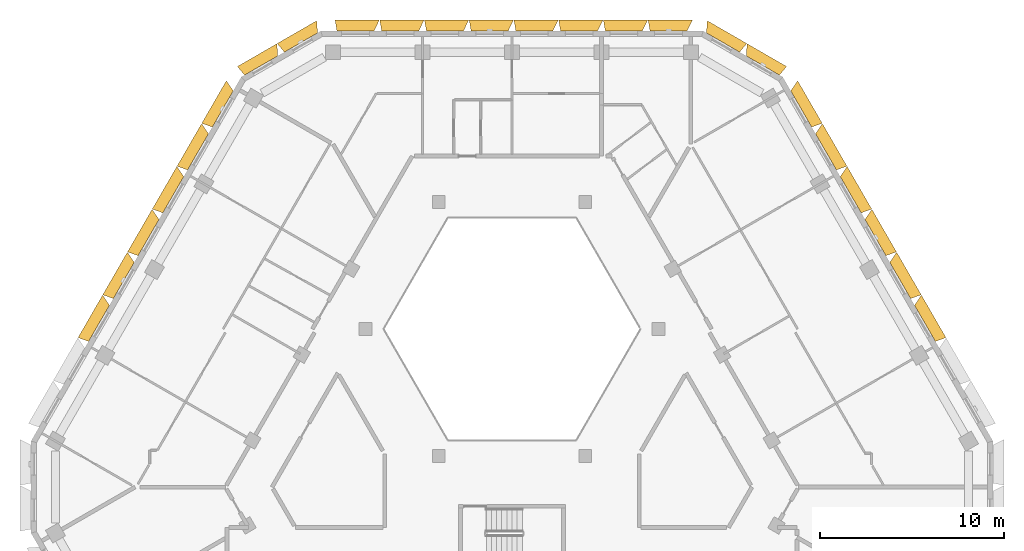
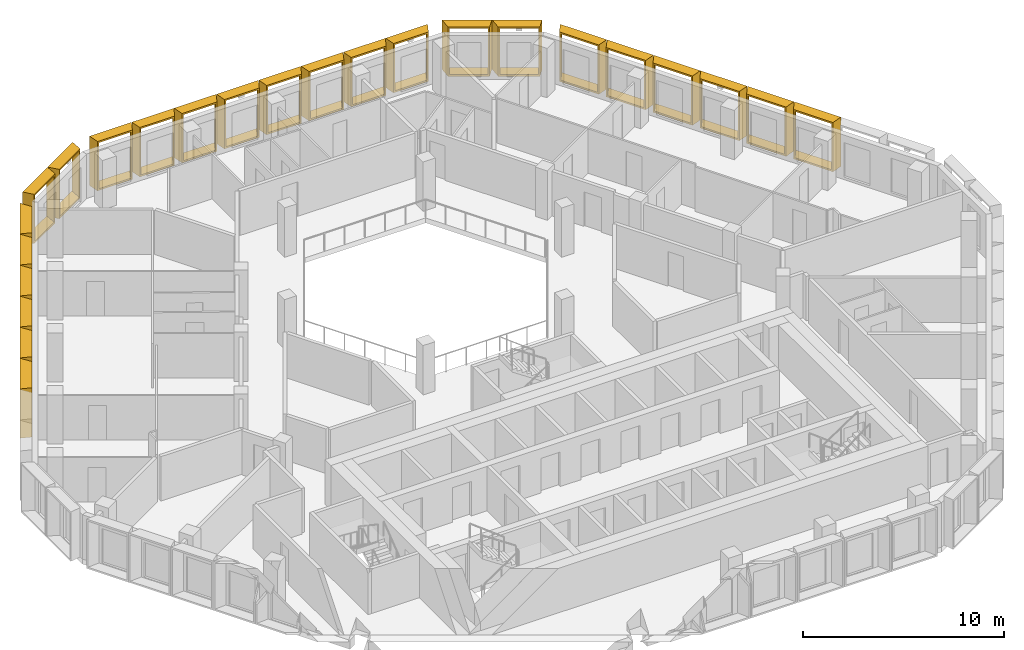
# One storey, part 17 of 17: 24 shading devices.
"""IFC4 building model written with IfcOpenShell, lengths in metres."""

import ifcopenshell
import ifcopenshell.guid

model = None  # the IFC model being written
_history = None  # IfcOwnerHistory: only IFC2X3 demands one
_inside = {}  # id of a spatial element -> (the spatial element, [elements in it])
_under = {}  # id of a project, library or spatial element -> (it, [spatial elements below it])
_declared = {}  # id of a project -> (the project, [libraries it declares])
_typed = {}  # id of a type object -> (the type object, [elements of that type])
_made_of = {}  # id of a material, layer set ... -> (it, [elements and type objects made of it])


def new_model(schema):
    """Start an empty IFC model of exactly this schema.

    Asked for "IFC4X3", IfcOpenShell would pick the latest addendum, in which some entities
    have other attributes; the version numbers below select the first issue.
    IFC2X3 requires an IfcOwnerHistory on every rooted entity: one is made here for all.
    """
    global model, _history
    if schema == "IFC4X3":
        model = ifcopenshell.file(schema_version=(4, 3, 0, 0))
    else:
        model = ifcopenshell.file(schema=schema)
    _inside.clear()
    _under.clear()
    _declared.clear()
    _typed.clear()
    _made_of.clear()
    _history = None
    if model.schema == "IFC2X3":
        org = make("IfcOrganization", Name="unknown")
        user = make(
            "IfcPersonAndOrganization",
            ThePerson=make("IfcPerson", FamilyName="unknown"),
            TheOrganization=org,
        )
        app = make(
            "IfcApplication",
            ApplicationDeveloper=org,
            Version="unknown",
            ApplicationFullName="unknown",
            ApplicationIdentifier="unknown",
        )
        _history = make(
            "IfcOwnerHistory",
            OwningUser=user,
            OwningApplication=app,
            ChangeAction="ADDED",
            CreationDate=0,
        )
    return model


def make(cls, **values):
    """One entity of the class cls with the attributes given. An attribute that is None is left unset."""
    return model.create_entity(
        cls, **{name: value for name, value in values.items() if value is not None}
    )


def entity(cls, *values):
    """Any entity or typed value of the class cls, its attributes in the order of the schema. None: left unset."""
    e = model.create_entity(cls)
    for i, value in enumerate(values):
        if value is not None:
            e[i] = value
    return e


def rooted(cls, **values):
    """An entity with a GlobalId (a new one), such as an element, a storey or a relation."""
    return make(cls, GlobalId=ifcopenshell.guid.new(), OwnerHistory=_history, **values)


def si_unit(unit_type, name, prefix=None):
    """IfcSIUnit, for example si_unit("LENGTHUNIT", "METRE", prefix="MILLI")."""
    return make("IfcSIUnit", UnitType=unit_type, Prefix=prefix, Name=name)


def assignment(units):
    """IfcUnitAssignment: the units of a project."""
    return None if units is None else make("IfcUnitAssignment", Units=units)


def point(xyz):
    """IfcCartesianPoint."""
    return None if xyz is None else make("IfcCartesianPoint", Coordinates=xyz)


def direction(xyz):
    """IfcDirection."""
    return None if xyz is None else make("IfcDirection", DirectionRatios=xyz)


def frame(location, z_axis=None, x_axis=None):
    """IfcAxis2Placement3D, a coordinate frame: its origin and axes. An axis left out is left unset."""
    return make(
        "IfcAxis2Placement3D",
        Location=point(location),
        Axis=direction(z_axis),
        RefDirection=direction(x_axis),
    )


def origin():
    """The frame at (0, 0, 0) with its axes left unset."""
    return frame((0.0, 0.0, 0.0))


def place(relative_to, where):
    """IfcLocalPlacement: puts the frame where relative to a parent placement (None: the world)."""
    return make(
        "IfcLocalPlacement", PlacementRelTo=relative_to, RelativePlacement=where
    )


def context(
    kind, dimensions, precision=None, world=None, true_north=None, identifier=None
):
    """IfcGeometricRepresentationContext, for example the 3D "Model" context."""
    return make(
        "IfcGeometricRepresentationContext",
        ContextIdentifier=identifier,
        ContextType=kind,
        CoordinateSpaceDimension=dimensions,
        Precision=precision,
        WorldCoordinateSystem=world,
        TrueNorth=true_north,
    )


def subcontext(parent, identifier, kind, view, scale=None):
    """IfcGeometricRepresentationSubContext, for example "Body" below "Model"."""
    return make(
        "IfcGeometricRepresentationSubContext",
        ContextIdentifier=identifier,
        ContextType=kind,
        ParentContext=parent,
        TargetScale=scale,
        TargetView=view,
    )


def project(units=None, contexts=None):
    """IfcProject with its units and contexts."""
    return rooted(
        "IfcProject",
        Name="project",
        RepresentationContexts=contexts,
        UnitsInContext=assignment(units),
    )


def spatial(cls, under=None, at=None, **own):
    """A site, building, storey or space (cls), placed at a placement, below another one or the project."""
    s = rooted(cls, ObjectPlacement=at, **own)
    if under is not None:
        _under.setdefault(under.id(), (under, []))[1].append(s)
    return s


def shape(context_of_items, identifier, shape_type, items):
    """IfcShapeRepresentation: the items that make up one representation, for example the "Body"."""
    return make(
        "IfcShapeRepresentation",
        ContextOfItems=context_of_items,
        RepresentationIdentifier=identifier,
        RepresentationType=shape_type,
        Items=items,
    )


def source(mapping_origin, context_of_items, identifier, shape_type, items):
    """IfcRepresentationMap: a shape defined once, which mapped items show again and again."""
    return make(
        "IfcRepresentationMap",
        MappingOrigin=mapping_origin,
        MappedRepresentation=shape(context_of_items, identifier, shape_type, items),
    )


def transform(
    local_origin,
    x_axis=None,
    y_axis=None,
    z_axis=None,
    scale=None,
    scale2=None,
    scale3=None,
    uniform=True,
):
    """IfcCartesianTransformationOperator3D, or its non-uniform kind. x_axis, y_axis, z_axis: its Axis1, 2, 3."""
    if uniform:
        return make(
            "IfcCartesianTransformationOperator3D",
            Axis1=direction(x_axis),
            Axis2=direction(y_axis),
            LocalOrigin=point(local_origin),
            Scale=scale,
            Axis3=direction(z_axis),
        )
    return make(
        "IfcCartesianTransformationOperator3DnonUniform",
        Axis1=direction(x_axis),
        Axis2=direction(y_axis),
        LocalOrigin=point(local_origin),
        Scale=scale,
        Axis3=direction(z_axis),
        Scale2=scale2,
        Scale3=scale3,
    )


def mapped(mapping_source, mapping_target):
    """IfcMappedItem: shows the shape of a source again, moved by a transform."""
    return make(
        "IfcMappedItem", MappingSource=mapping_source, MappingTarget=mapping_target
    )


def material(Name=None, Category=None):
    """IfcMaterial."""
    return make("IfcMaterial", Name=Name, Category=Category)


def made_of(thing, what):
    """Note that an element or type object is made of a material, layer set ...; save() writes the relation."""
    if what is not None:
        _made_of.setdefault(what.id(), (what, []))[1].append(thing)
    return thing


def type_object(cls, material=None, **own):
    """A type object (cls), such as IfcWallType, which elements share."""
    return made_of(rooted(cls, **own), material)


def type_shapes(of_type, sources):
    """Give a type object the sources (RepresentationMaps) that its elements show as mapped items."""
    of_type.RepresentationMaps = sources


def element(
    cls,
    number,
    at=None,
    inside=None,
    cuts=None,
    type_object=None,
    material=None,
    context=None,
    identifier="Body",
    shape_type=None,
    held_by="IfcProductDefinitionShape",
    body=None,
    shapes=None,
    **own,
):
    """One element of the class cls, such as IfcWall. Its Tag is "e" and its number.

    at: its placement. inside: the storey or other place that contains it. cuts: it is an
    opening in that element (IfcRelVoidsElement). A single representation is given by context,
    identifier, shape_type and body (its items); several are given by shapes. held_by: the class
    of the entity that holds the representations. save() writes the other relations.
    """
    e = rooted(cls, Tag="e%d" % number, ObjectPlacement=at, **own)
    if body is not None:
        shapes = [shape(context, identifier, shape_type, body)]
    if shapes is not None:
        e.Representation = make(held_by, Representations=shapes)
    if inside is not None:
        _inside.setdefault(inside.id(), (inside, []))[1].append(e)
    if cuts is not None:
        rooted(
            "IfcRelVoidsElement", RelatingBuildingElement=cuts, RelatedOpeningElement=e
        )
    if type_object is not None:
        _typed.setdefault(type_object.id(), (type_object, []))[1].append(e)
    return made_of(e, material)


def aggregate(whole, parts):
    """IfcRelAggregates: a whole, such as a stair, and the parts it consists of."""
    return rooted("IfcRelAggregates", RelatingObject=whole, RelatedObjects=parts)


def save(model, path):
    """Write the relations noted so far, then the file.

    IfcRelAggregates (storeys below a building ...), IfcRelContainedInSpatialStructure (elements
    in a storey), IfcRelDefinesByType, IfcRelAssociatesMaterial and IfcRelDeclares: one each for
    every whole, place, type object, material and project.
    """
    for whole, parts in _under.values():
        aggregate(whole, parts)
    for where, things in _inside.values():
        rooted(
            "IfcRelContainedInSpatialStructure",
            RelatedElements=things,
            RelatingStructure=where,
        )
    for kind, things in _typed.values():
        rooted("IfcRelDefinesByType", RelatedObjects=things, RelatingType=kind)
    for what, things in _made_of.values():
        rooted("IfcRelAssociatesMaterial", RelatedObjects=things, RelatingMaterial=what)
    for by, libraries in _declared.values():
        rooted("IfcRelDeclares", RelatingContext=by, RelatedDefinitions=libraries)
    model.write(path)


model = new_model("IFC4")

# Units and contexts
model_context = context("Model", 3, precision=1e-05, world=origin(), true_north=direction((0.0, 1.0)))
body_context = subcontext(model_context, "Body", "Model", "MODEL_VIEW")
ifc_project = project(units=[si_unit("LENGTHUNIT", "METRE"), si_unit("AREAUNIT", "SQUARE_METRE"), si_unit("VOLUMEUNIT", "CUBIC_METRE"), si_unit("PLANEANGLEUNIT", "RADIAN"), si_unit("MASSUNIT", "GRAM", prefix="KILO")], contexts=[model_context])

# Site, building, storey
site_placement = place(None, origin())
site = spatial("IfcSite", under=ifc_project, at=site_placement, CompositionType="ELEMENT")
building_placement = place(site_placement, origin())
building = spatial("IfcBuilding", under=site, at=building_placement, Name="Beryl Residences", CompositionType="ELEMENT")
storey_placement = place(building_placement, frame((0.0, 0.0, 172.199951171875)))
storey = spatial("IfcBuildingStorey", under=building, at=storey_placement, Name="L52", CompositionType="ELEMENT", Elevation=172.199951171875)

# Shading devices
ifc_material_1 = material(Name="Aluminium pale anodised", Category="aluminium")
shading_device_type_1 = type_object("IfcShadingDeviceType", Name="FR243-60B OUTER SKIN frame 600 mm deep, splay 26/10 deg, 2430 x 3000 mm cell", PredefinedType="USERDEFINED", material=ifc_material_1)
cartesian_point_1 = entity("IfcCartesianPoint", [-1.005615234375, 0.0])
cartesian_point_2 = entity("IfcCartesianPoint", [-0.91650390625, 0.10009765625])
cartesian_point_3 = entity("IfcCartesianPoint", [-1.298095703125, 0.0])
cartesian_point_4 = entity("IfcCartesianPoint", [-1.209228515625, 0.10009765625])
shared_shape_1 = source(origin(), body_context, "Body", "SweptSolid", [
    entity("IfcExtrudedAreaSolidTapered", entity("IfcArbitraryProfileDefWithVoids", "AREA", None, entity("IfcPolyline", [cartesian_point_1, entity("IfcCartesianPoint", [1.005615234375, 0.0]), entity("IfcCartesianPoint", [1.005615234375, 3.0]), entity("IfcCartesianPoint", [-1.005615234375, 3.0]), cartesian_point_1]), [entity("IfcPolyline", [cartesian_point_2, entity("IfcCartesianPoint", [0.92431640625, 0.10009765625]), entity("IfcCartesianPoint", [0.92431640625, 2.89990234375]), entity("IfcCartesianPoint", [-0.91650390625, 2.89990234375]), cartesian_point_2])]), entity("IfcAxis2Placement3D", entity("IfcCartesianPoint", [0.0, 0.0, 0.0]), entity("IfcDirection", [0.0, 1.0, 0.0]), entity("IfcDirection", [-1.0, 0.0, 0.0])), entity("IfcDirection", [0.0, 0.0, 1.0]), 0.60009765625, entity("IfcArbitraryProfileDefWithVoids", "AREA", None, entity("IfcPolyline", [cartesian_point_3, entity("IfcCartesianPoint", [1.111328125, 0.0]), entity("IfcCartesianPoint", [1.111328125, 3.0]), entity("IfcCartesianPoint", [-1.298095703125, 3.0]), cartesian_point_3]), [entity("IfcPolyline", [cartesian_point_4, entity("IfcCartesianPoint", [1.030029296875, 0.10009765625]), entity("IfcCartesianPoint", [1.030029296875, 2.89990234375]), entity("IfcCartesianPoint", [-1.209228515625, 2.89990234375]), cartesian_point_4])])),
])
type_shapes(shading_device_type_1, [shared_shape_1])
for number, where, z_axis, x_axis, name in (
    (1, (8.511962890625, 24.199951171875, 0.0), (0.0, 0.0, 1.0), (1.0, 0.0, 0.0), "FR243-60B frame L52 N 1"),
    (2, (6.080078125, 24.199951171875, 0.0), (0.0, 0.0, 1.0), (1.0, 0.0, 0.0), "FR243-60B frame L52 N 2"),
    (3, (3.64794921875, 24.199951171875, 0.0), (0.0, 0.0, 1.0), (1.0, 0.0, 0.0), "FR243-60B frame L52 N 3"),
    (4, (1.216064453125, 24.199951171875, 0.0), (0.0, 0.0, 1.0), (1.0, 0.0, 0.0), "FR243-60B frame L52 N 4"),
    (5, (-1.216064453125, 24.199951171875, 0.0), (0.0, 0.0, 1.0), (1.0, 0.0, 0.0), "FR243-60B frame L52 N 5"),
    (6, (-3.64794921875, 24.199951171875, 0.0), (0.0, 0.0, 1.0), (1.0, 0.0, 0.0), "FR243-60B frame L52 N 6"),
    (7, (-6.080078125, 24.199951171875, 0.0), (0.0, 0.0, 1.0), (1.0, 0.0, 0.0), "FR243-60B frame L52 N 7"),
    (8, (-8.511962890625, 24.199951171875, 0.0), (0.0, 0.0, 1.0), (1.0, 0.0, 0.0), "FR243-60B frame L52 N 8"),
):
    element("IfcShadingDevice", number, at=place(storey_placement, frame(where, z_axis=z_axis, x_axis=x_axis)), inside=storey, type_object=shading_device_type_1, Name=name, ObjectType="OUTER SKIN", PredefinedType="USERDEFINED", context=body_context, shape_type="MappedRepresentation", body=[
        mapped(shared_shape_1, transform((0.0, 0.0, 0.0))),
    ])
ifc_material_2 = material(Name="Aluminium pale anodised", Category="aluminium")
shading_device_type_2 = type_object("IfcShadingDeviceType", Name="FR250-60B OUTER SKIN frame 600 mm deep, splay 26/10 deg, 2500 x 3000 mm cell", PredefinedType="USERDEFINED", material=ifc_material_2)
cartesian_point_5 = entity("IfcCartesianPoint", [-1.04052734375, 0.0])
cartesian_point_6 = entity("IfcCartesianPoint", [-0.951416015625, 0.10009765625])
cartesian_point_7 = entity("IfcCartesianPoint", [-1.333251953125, 0.0])
cartesian_point_8 = entity("IfcCartesianPoint", [-1.244140625, 0.10009765625])
shared_shape_2 = source(origin(), body_context, "Body", "SweptSolid", [
    entity("IfcExtrudedAreaSolidTapered", entity("IfcArbitraryProfileDefWithVoids", "AREA", None, entity("IfcPolyline", [cartesian_point_5, entity("IfcCartesianPoint", [1.04052734375, 0.0]), entity("IfcCartesianPoint", [1.04052734375, 3.0]), entity("IfcCartesianPoint", [-1.04052734375, 3.0]), cartesian_point_5]), [entity("IfcPolyline", [cartesian_point_6, entity("IfcCartesianPoint", [0.959228515625, 0.10009765625]), entity("IfcCartesianPoint", [0.959228515625, 2.89990234375]), entity("IfcCartesianPoint", [-0.951416015625, 2.89990234375]), cartesian_point_6])]), entity("IfcAxis2Placement3D", entity("IfcCartesianPoint", [0.0, 0.0, 0.0]), entity("IfcDirection", [0.0, 1.0, 0.0]), entity("IfcDirection", [-1.0, 0.0, 0.0])), entity("IfcDirection", [0.0, 0.0, 1.0]), 0.60009765625, entity("IfcArbitraryProfileDefWithVoids", "AREA", None, entity("IfcPolyline", [cartesian_point_7, entity("IfcCartesianPoint", [1.146240234375, 0.0]), entity("IfcCartesianPoint", [1.146240234375, 3.0]), entity("IfcCartesianPoint", [-1.333251953125, 3.0]), cartesian_point_7]), [entity("IfcPolyline", [cartesian_point_8, entity("IfcCartesianPoint", [1.06494140625, 0.10009765625]), entity("IfcCartesianPoint", [1.06494140625, 2.89990234375]), entity("IfcCartesianPoint", [-1.244140625, 2.89990234375]), cartesian_point_8])])),
])
type_shapes(shading_device_type_2, [shared_shape_2])
for number, where, z_axis, x_axis, name in (
    (9, (-11.47412109375, 23.574951171875, 0.0), (0.0, 0.0, 1.0), (0.866025403784, 0.5, 0.0), "FR250-60B frame L52 N-NW 1"),
    (10, (-13.638916015625, 22.324951171875, 0.0), (0.0, 0.0, 1.0), (0.866025403784, 0.5, 0.0), "FR250-60B frame L52 N-NW 2"),
):
    element("IfcShadingDevice", number, at=place(storey_placement, frame(where, z_axis=z_axis, x_axis=x_axis)), inside=storey, type_object=shading_device_type_2, Name=name, ObjectType="OUTER SKIN", PredefinedType="USERDEFINED", context=body_context, shape_type="MappedRepresentation", body=[
        mapped(shared_shape_2, transform((0.0, 0.0, 0.0))),
    ])
ifc_material_3 = material(Name="Aluminium pale anodised", Category="aluminium")
shading_device_type_3 = type_object("IfcShadingDeviceType", Name="FR250-60C OUTER SKIN frame 600 mm deep, splay 10/26 deg, 2500 x 3000 mm cell", PredefinedType="USERDEFINED", material=ifc_material_3)
cartesian_point_9 = entity("IfcCartesianPoint", [-1.04052734375, 0.0])
cartesian_point_10 = entity("IfcCartesianPoint", [-0.959228515625, 0.10009765625])
cartesian_point_11 = entity("IfcCartesianPoint", [-1.146240234375, 0.0])
cartesian_point_12 = entity("IfcCartesianPoint", [-1.06494140625, 0.10009765625])
shared_shape_3 = source(origin(), body_context, "Body", "SweptSolid", [
    entity("IfcExtrudedAreaSolidTapered", entity("IfcArbitraryProfileDefWithVoids", "AREA", None, entity("IfcPolyline", [cartesian_point_9, entity("IfcCartesianPoint", [1.04052734375, 0.0]), entity("IfcCartesianPoint", [1.04052734375, 3.0]), entity("IfcCartesianPoint", [-1.04052734375, 3.0]), cartesian_point_9]), [entity("IfcPolyline", [cartesian_point_10, entity("IfcCartesianPoint", [0.951416015625, 0.10009765625]), entity("IfcCartesianPoint", [0.951416015625, 2.89990234375]), entity("IfcCartesianPoint", [-0.959228515625, 2.89990234375]), cartesian_point_10])]), entity("IfcAxis2Placement3D", entity("IfcCartesianPoint", [0.0, 0.0, 0.0]), entity("IfcDirection", [0.0, 1.0, 0.0]), entity("IfcDirection", [-1.0, 0.0, 0.0])), entity("IfcDirection", [0.0, 0.0, 1.0]), 0.60009765625, entity("IfcArbitraryProfileDefWithVoids", "AREA", None, entity("IfcPolyline", [cartesian_point_11, entity("IfcCartesianPoint", [1.333251953125, 0.0]), entity("IfcCartesianPoint", [1.333251953125, 3.0]), entity("IfcCartesianPoint", [-1.146240234375, 3.0]), cartesian_point_11]), [entity("IfcPolyline", [cartesian_point_12, entity("IfcCartesianPoint", [1.244140625, 0.10009765625]), entity("IfcCartesianPoint", [1.244140625, 2.89990234375]), entity("IfcCartesianPoint", [-1.06494140625, 2.89990234375]), cartesian_point_12])])),
])
type_shapes(shading_device_type_3, [shared_shape_3])
for number, where, z_axis, x_axis, name in (
    (11, (13.638916015625, 22.324951171875, 0.0), (0.0, 0.0, 1.0), (0.866025403784, -0.5, 0.0), "FR250-60C frame L52 NE-N 1"),
    (12, (11.47412109375, 23.574951171875, 0.0), (0.0, 0.0, 1.0), (0.866025403784, -0.5, 0.0), "FR250-60C frame L52 NE-N 2"),
):
    element("IfcShadingDevice", number, at=place(storey_placement, frame(where, z_axis=z_axis, x_axis=x_axis)), inside=storey, type_object=shading_device_type_3, Name=name, ObjectType="OUTER SKIN", PredefinedType="USERDEFINED", context=body_context, shape_type="MappedRepresentation", body=[
        mapped(shared_shape_3, transform((0.0, 0.0, 0.0))),
    ])
ifc_material_4 = material(Name="Aluminium pale anodised", Category="aluminium")
shading_device_type_4 = type_object("IfcShadingDeviceType", Name="FR269-60B OUTER SKIN frame 600 mm deep, splay 26/10 deg, 2690 x 3000 mm cell", PredefinedType="USERDEFINED", material=ifc_material_4)
cartesian_point_13 = entity("IfcCartesianPoint", [-1.135498046875, 0.0])
cartesian_point_14 = entity("IfcCartesianPoint", [-1.04638671875, 0.10009765625])
cartesian_point_15 = entity("IfcCartesianPoint", [-1.42822265625, 0.0])
cartesian_point_16 = entity("IfcCartesianPoint", [-1.339111328125, 0.10009765625])
shared_shape_4 = source(origin(), body_context, "Body", "SweptSolid", [
    entity("IfcExtrudedAreaSolidTapered", entity("IfcArbitraryProfileDefWithVoids", "AREA", None, entity("IfcPolyline", [cartesian_point_13, entity("IfcCartesianPoint", [1.135498046875, 0.0]), entity("IfcCartesianPoint", [1.135498046875, 3.0]), entity("IfcCartesianPoint", [-1.135498046875, 3.0]), cartesian_point_13]), [entity("IfcPolyline", [cartesian_point_14, entity("IfcCartesianPoint", [1.05419921875, 0.10009765625]), entity("IfcCartesianPoint", [1.05419921875, 2.89990234375]), entity("IfcCartesianPoint", [-1.04638671875, 2.89990234375]), cartesian_point_14])]), entity("IfcAxis2Placement3D", entity("IfcCartesianPoint", [0.0, 0.0, 0.0]), entity("IfcDirection", [0.0, 1.0, 0.0]), entity("IfcDirection", [-1.0, 0.0, 0.0])), entity("IfcDirection", [0.0, 0.0, 1.0]), 0.60009765625, entity("IfcArbitraryProfileDefWithVoids", "AREA", None, entity("IfcPolyline", [cartesian_point_15, entity("IfcCartesianPoint", [1.2412109375, 0.0]), entity("IfcCartesianPoint", [1.2412109375, 3.0]), entity("IfcCartesianPoint", [-1.42822265625, 3.0]), cartesian_point_15]), [entity("IfcPolyline", [cartesian_point_16, entity("IfcCartesianPoint", [1.16015625, 0.10009765625]), entity("IfcCartesianPoint", [1.16015625, 2.89990234375]), entity("IfcCartesianPoint", [-1.339111328125, 2.89990234375]), cartesian_point_16])])),
])
type_shapes(shading_device_type_4, [shared_shape_4])
for number, where, z_axis, x_axis, name in (
    (13, (-15.72705078125, 19.9599609375, 0.0), (0.0, 0.0, 1.0), (0.5, 0.866025403784, 0.0), "FR269-60B frame L52 NW 1"),
    (14, (-17.072998046875, 17.6279296875, 0.0), (0.0, 0.0, 1.0), (0.5, 0.866025403784, 0.0), "FR269-60B frame L52 NW 2"),
    (15, (-18.4189453125, 15.297119140625, 0.0), (0.0, 0.0, 1.0), (0.5, 0.866025403784, 0.0), "FR269-60B frame L52 NW 3"),
    (16, (-19.764892578125, 12.966064453125, 0.0), (0.0, 0.0, 1.0), (0.5, 0.866025403784, 0.0), "FR269-60B frame L52 NW 4"),
    (17, (-21.111083984375, 10.634033203125, 0.0), (0.0, 0.0, 1.0), (0.5, 0.866025403784, 0.0), "FR269-60B frame L52 NW 5"),
    (18, (-22.45703125, 8.302978515625, 0.0), (0.0, 0.0, 1.0), (0.5, 0.866025403784, 0.0), "FR269-60B frame L52 NW 6"),
):
    element("IfcShadingDevice", number, at=place(storey_placement, frame(where, z_axis=z_axis, x_axis=x_axis)), inside=storey, type_object=shading_device_type_4, Name=name, ObjectType="OUTER SKIN", PredefinedType="USERDEFINED", context=body_context, shape_type="MappedRepresentation", body=[
        mapped(shared_shape_4, transform((0.0, 0.0, 0.0))),
    ])
ifc_material_5 = material(Name="Aluminium pale anodised", Category="aluminium")
shading_device_type_5 = type_object("IfcShadingDeviceType", Name="FR269-60C OUTER SKIN frame 600 mm deep, splay 10/26 deg, 2690 x 3000 mm cell", PredefinedType="USERDEFINED", material=ifc_material_5)
cartesian_point_17 = entity("IfcCartesianPoint", [-1.135498046875, 0.0])
cartesian_point_18 = entity("IfcCartesianPoint", [-1.05419921875, 0.10009765625])
cartesian_point_19 = entity("IfcCartesianPoint", [-1.2412109375, 0.0])
cartesian_point_20 = entity("IfcCartesianPoint", [-1.16015625, 0.10009765625])
shared_shape_5 = source(origin(), body_context, "Body", "SweptSolid", [
    entity("IfcExtrudedAreaSolidTapered", entity("IfcArbitraryProfileDefWithVoids", "AREA", None, entity("IfcPolyline", [cartesian_point_17, entity("IfcCartesianPoint", [1.135498046875, 0.0]), entity("IfcCartesianPoint", [1.135498046875, 3.0]), entity("IfcCartesianPoint", [-1.135498046875, 3.0]), cartesian_point_17]), [entity("IfcPolyline", [cartesian_point_18, entity("IfcCartesianPoint", [1.04638671875, 0.10009765625]), entity("IfcCartesianPoint", [1.04638671875, 2.89990234375]), entity("IfcCartesianPoint", [-1.05419921875, 2.89990234375]), cartesian_point_18])]), entity("IfcAxis2Placement3D", entity("IfcCartesianPoint", [0.0, 0.0, 0.0]), entity("IfcDirection", [0.0, 1.0, 0.0]), entity("IfcDirection", [-1.0, 0.0, 0.0])), entity("IfcDirection", [0.0, 0.0, 1.0]), 0.60009765625, entity("IfcArbitraryProfileDefWithVoids", "AREA", None, entity("IfcPolyline", [cartesian_point_19, entity("IfcCartesianPoint", [1.42822265625, 0.0]), entity("IfcCartesianPoint", [1.42822265625, 3.0]), entity("IfcCartesianPoint", [-1.2412109375, 3.0]), cartesian_point_19]), [entity("IfcPolyline", [cartesian_point_20, entity("IfcCartesianPoint", [1.339111328125, 0.10009765625]), entity("IfcCartesianPoint", [1.339111328125, 2.89990234375]), entity("IfcCartesianPoint", [-1.16015625, 2.89990234375]), cartesian_point_20])])),
])
type_shapes(shading_device_type_5, [shared_shape_5])
for number, where, z_axis, x_axis, name in (
    (19, (22.45703125, 8.302978515625, 0.0), (0.0, 0.0, 1.0), (0.5, -0.866025403784, 0.0), "FR269-60C frame L52 NE 3"),
    (20, (21.111083984375, 10.634033203125, 0.0), (0.0, 0.0, 1.0), (0.5, -0.866025403784, 0.0), "FR269-60C frame L52 NE 4"),
    (21, (19.764892578125, 12.966064453125, 0.0), (0.0, 0.0, 1.0), (0.5, -0.866025403784, 0.0), "FR269-60C frame L52 NE 5"),
    (22, (18.4189453125, 15.297119140625, 0.0), (0.0, 0.0, 1.0), (0.5, -0.866025403784, 0.0), "FR269-60C frame L52 NE 6"),
    (23, (17.072998046875, 17.6279296875, 0.0), (0.0, 0.0, 1.0), (0.5, -0.866025403784, 0.0), "FR269-60C frame L52 NE 7"),
    (24, (15.72705078125, 19.9599609375, 0.0), (0.0, 0.0, 1.0), (0.5, -0.866025403784, 0.0), "FR269-60C frame L52 NE 8"),
):
    element("IfcShadingDevice", number, at=place(storey_placement, frame(where, z_axis=z_axis, x_axis=x_axis)), inside=storey, type_object=shading_device_type_5, Name=name, ObjectType="OUTER SKIN", PredefinedType="USERDEFINED", context=body_context, shape_type="MappedRepresentation", body=[
        mapped(shared_shape_5, transform((0.0, 0.0, 0.0))),
    ])

save(model, "model.ifc")
